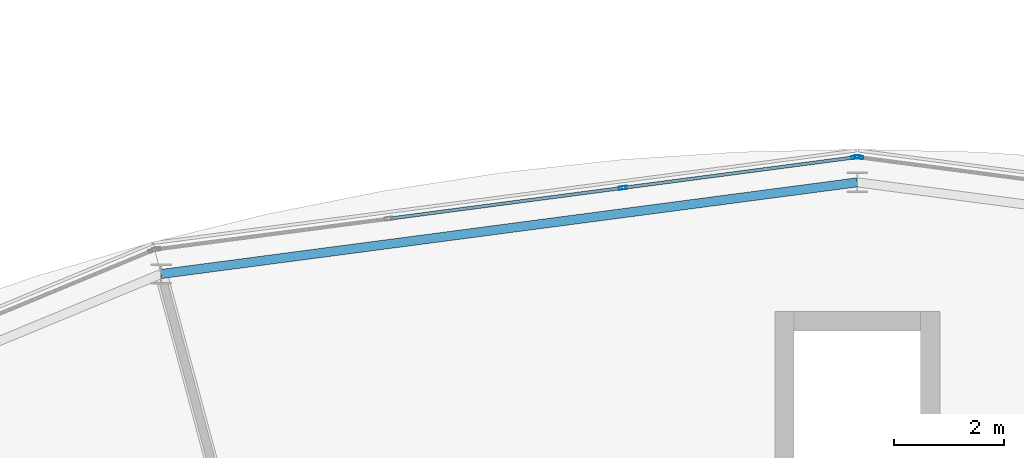
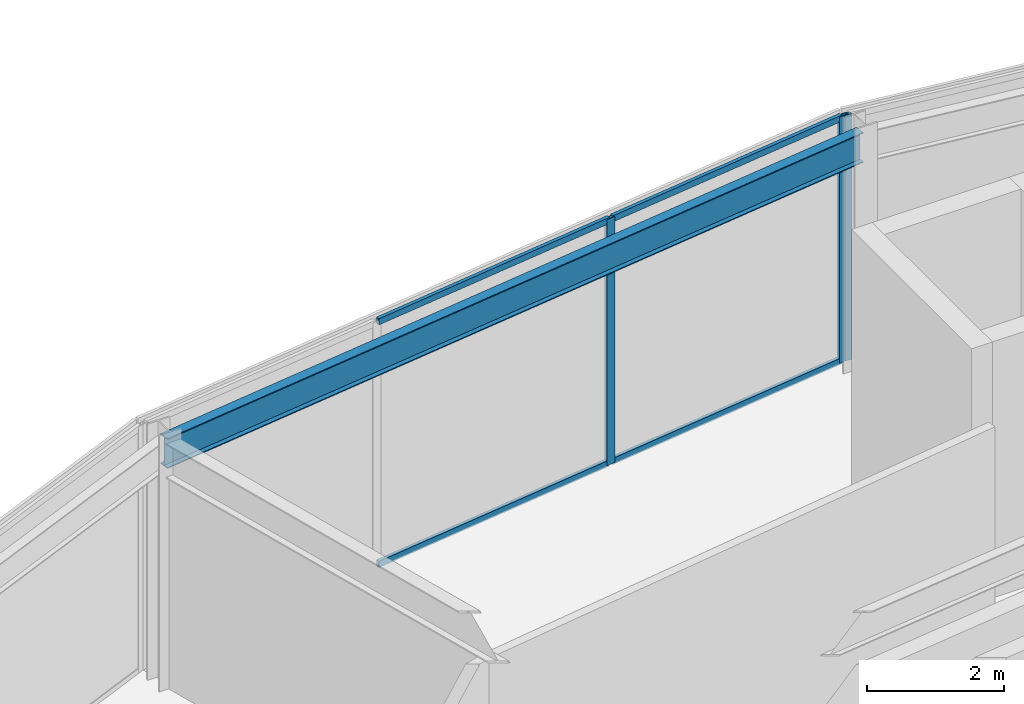
# One storey, part 88 of 157: 7 members, 1 beam, 2 elements without a shape of their own.
"""IFC4 building model written with IfcOpenShell, lengths in metres."""

from ifc_helpers import new_model, si_unit, direction, frame, origin, origin_2d, place, context, subcontext, project, spatial, hollow_rectangle, i_section, extrude, material, material_profile, profile_set, type_object, element, aggregate, save


model = new_model("IFC4")

# Units and contexts
model_context = context("Model", 3, precision=1e-05, world=origin(), true_north=direction((0.0, 1.0)))
body_context = subcontext(model_context, "Body", "Model", "MODEL_VIEW")
ifc_project = project(units=[si_unit("LENGTHUNIT", "METRE"), si_unit("AREAUNIT", "SQUARE_METRE"), si_unit("VOLUMEUNIT", "CUBIC_METRE"), si_unit("PLANEANGLEUNIT", "RADIAN"), si_unit("MASSUNIT", "GRAM", prefix="KILO")], contexts=[model_context])

# Site, building, storey
site_placement = place(None, origin())
site = spatial("IfcSite", under=ifc_project, at=site_placement, CompositionType="ELEMENT")
building_placement = place(site_placement, origin())
building = spatial("IfcBuilding", under=site, at=building_placement, Name="Almandine Court Research Institute", CompositionType="ELEMENT")
storey_placement = place(building_placement, frame((0.0, 0.0, 5.25)))
storey = spatial("IfcBuildingStorey", under=building, at=storey_placement, Name="L01", CompositionType="ELEMENT", Elevation=5.25)

# Beam
ifc_material_1 = material(Name="Steel ASTM A992 Grade 50", Category="steel")
ifc_material_profile_1 = material_profile(ifc_material_1, i_section(OverallWidth=0.166015625, OverallDepth=0.534912109375, WebThickness=0.010009765625, FlangeThickness=0.01708984375, at=origin_2d()), Name="W530x85")
ifc_profile_set_1 = profile_set([ifc_material_profile_1], Name="Steel ASTM A992 Grade 50")
beam_type = type_object("IfcBeamType", Name="Beam-G-05-E", PredefinedType="SPANDREL", material=ifc_profile_set_1)
beam_placement = place(storey_placement, frame((87.0, 104.89990234375, 4.10205078125), z_axis=(-0.991446677504, -0.130512396599, 0.0), x_axis=(0.130512396599, -0.991446677504, 0.0)))
element("IfcBeam", 1, at=beam_placement, inside=storey, type_object=beam_type, Name="L01 Drum OUT Ring Beam 06", PredefinedType="SPANDREL", context=body_context, shape_type="SweptSolid", body=[
    extrude(i_section(OverallWidth=0.166015625, OverallDepth=0.534912109375, WebThickness=0.010009765625, FlangeThickness=0.01708984375, at=origin_2d()), origin(), (0.0, 0.0, 1.0), 12.76513671875),
])

# Curtain wall, member
ifc_material_2 = material(Name="Unitised Curtain Wall Framing and Solar Glazing", Category="glass")
curtain_wall_type = type_object("IfcCurtainWallType", Name="CW-CWG-20", PredefinedType="USERDEFINED", material=ifc_material_2)
curtain_wall_1_placement = place(storey_placement, origin())
curtain_wall_1 = element("IfcCurtainWall", 2, at=curtain_wall_1_placement, inside=storey, type_object=curtain_wall_type, Name="L01 Stacked-Ring Drum Outer Unitised Glazing 05", ObjectType="UNITISED GLAZING", PredefinedType="USERDEFINED")
ifc_material_3 = material(Name="Anodised Aluminium AW-6063-T6", Category="aluminium")
ifc_material_profile_2 = material_profile(ifc_material_3, hollow_rectangle(XDim=0.06005859375, YDim=0.14990234375, WallThickness=0.00390625, at=origin_2d()), Name="ALU RHS 60x150x4")
ifc_profile_set_2 = profile_set([ifc_material_profile_2], Name="Anodised Aluminium AW-6063-T6")
member_type_1 = type_object("IfcMemberType", Name="CWMul-60x150", PredefinedType="MULLION", material=ifc_profile_set_2)
member_1_placement = place(storey_placement, frame((87.03369140625, 105.356201171875, 0.0), z_axis=(0.0, 0.0, 1.0), x_axis=(0.130540891259, 0.991442926098, 0.0)))
member_1 = element("IfcMember", 3, at=member_1_placement, type_object=member_type_1, Name="CWG-20 mullion 1", PredefinedType="MULLION", context=body_context, shape_type="SweptSolid", body=[
    extrude(hollow_rectangle(XDim=0.06005859375, YDim=0.14990234375, WallThickness=0.00390625, at=origin_2d()), origin(), (0.0, 0.0, 1.0), 4.3701171875),
])
aggregate(curtain_wall_1, [member_1])

# Curtain wall, members
curtain_wall_2_placement = place(storey_placement, origin())
curtain_wall_2 = element("IfcCurtainWall", 4, at=curtain_wall_2_placement, inside=storey, type_object=curtain_wall_type, Name="L01 Stacked-Ring Drum Outer Unitised Glazing 06", ObjectType="UNITISED GLAZING", PredefinedType="USERDEFINED")
member_2_placement = place(storey_placement, frame((82.740234375, 104.799560546875, 0.0), z_axis=(0.0, 0.0, 1.0), x_axis=(-0.130540891259, 0.991442926098, 0.0)))
member_2 = element("IfcMember", 5, at=member_2_placement, type_object=member_type_1, Name="CWG-20 mullion 3", PredefinedType="MULLION", context=body_context, shape_type="SweptSolid", body=[
    extrude(hollow_rectangle(XDim=0.06005859375, YDim=0.14990234375, WallThickness=0.00390625, at=origin_2d()), origin(), (0.0, 0.0, 1.0), 4.3701171875),
])
member_3_placement = place(storey_placement, frame((86.96630859375, 105.356201171875, 0.0), z_axis=(0.0, 0.0, 1.0), x_axis=(-0.130540891259, 0.991442926098, 0.0)))
member_3 = element("IfcMember", 6, at=member_3_placement, type_object=member_type_1, Name="CWG-20 mullion 4", PredefinedType="MULLION", context=body_context, shape_type="SweptSolid", body=[
    extrude(hollow_rectangle(XDim=0.06005859375, YDim=0.14990234375, WallThickness=0.00390625, at=origin_2d()), origin(), (0.0, 0.0, 1.0), 4.3701171875),
])
ifc_material_profile_3 = material_profile(ifc_material_3, hollow_rectangle(XDim=0.06005859375, YDim=0.110107421875, WallThickness=0.00390625, at=origin_2d()), Name="ALU RHS 60x110x4")
ifc_profile_set_3 = profile_set([ifc_material_profile_3], Name="Anodised Aluminium AW-6063-T6")
member_type_2 = type_object("IfcMemberType", Name="CWTrn-60x110", PredefinedType="NOTDEFINED", material=ifc_profile_set_3)
member_4_placement = place(storey_placement, frame((78.514404296875, 104.2431640625, 0.030029296875), z_axis=(0.991443690345, 0.130535086761, 0.0), x_axis=(-0.130535086761, 0.991443690345, 0.0)))
member_4 = element("IfcMember", 7, at=member_4_placement, type_object=member_type_2, Name="CWG-20 transom 2.1", ObjectType="TRANSOM", PredefinedType="USERDEFINED", context=body_context, shape_type="SweptSolid", body=[
    extrude(hollow_rectangle(XDim=0.06005859375, YDim=0.110107421875, WallThickness=0.00390625, at=origin_2d()), origin(), (0.0, 0.0, 1.0), 4.232421875),
])
member_5_placement = place(storey_placement, frame((78.514404296875, 104.2431640625, 4.340087890625), z_axis=(0.991443690345, 0.130535086761, 0.0), x_axis=(-0.130535086761, 0.991443690345, 0.0)))
member_5 = element("IfcMember", 8, at=member_5_placement, type_object=member_type_2, Name="CWG-20 transom 2.2", ObjectType="TRANSOM", PredefinedType="USERDEFINED", context=body_context, shape_type="SweptSolid", body=[
    extrude(hollow_rectangle(XDim=0.06005859375, YDim=0.110107421875, WallThickness=0.00390625, at=origin_2d()), origin(), (0.0, 0.0, 1.0), 4.232421875),
])
member_6_placement = place(storey_placement, frame((82.77001953125, 104.803466796875, 0.030029296875), z_axis=(0.991443218791, 0.130538668266, 0.0), x_axis=(-0.130538668266, 0.991443218791, 0.0)))
member_6 = element("IfcMember", 9, at=member_6_placement, type_object=member_type_2, Name="CWG-20 transom 3.1", ObjectType="TRANSOM", PredefinedType="USERDEFINED", context=body_context, shape_type="SweptSolid", body=[
    extrude(hollow_rectangle(XDim=0.06005859375, YDim=0.110107421875, WallThickness=0.00390625, at=origin_2d()), origin(), (0.0, 0.0, 1.0), 4.202392578125),
])
member_7_placement = place(storey_placement, frame((82.77001953125, 104.803466796875, 4.340087890625), z_axis=(0.991443218791, 0.130538668266, 0.0), x_axis=(-0.130538668266, 0.991443218791, 0.0)))
member_7 = element("IfcMember", 10, at=member_7_placement, type_object=member_type_2, Name="CWG-20 transom 3.2", ObjectType="TRANSOM", PredefinedType="USERDEFINED", context=body_context, shape_type="SweptSolid", body=[
    extrude(hollow_rectangle(XDim=0.06005859375, YDim=0.110107421875, WallThickness=0.00390625, at=origin_2d()), origin(), (0.0, 0.0, 1.0), 4.202392578125),
])
aggregate(curtain_wall_2, [member_2, member_3, member_4, member_5, member_6, member_7])

save(model, "model.ifc")
